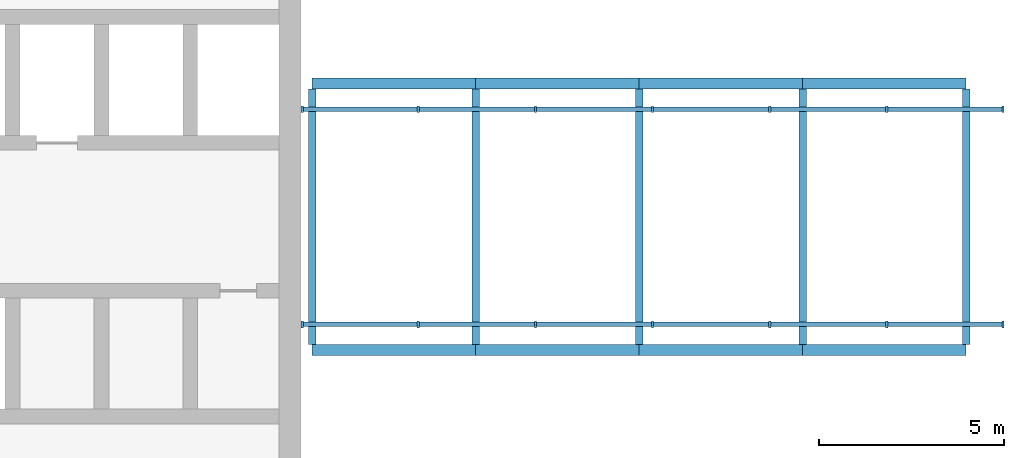
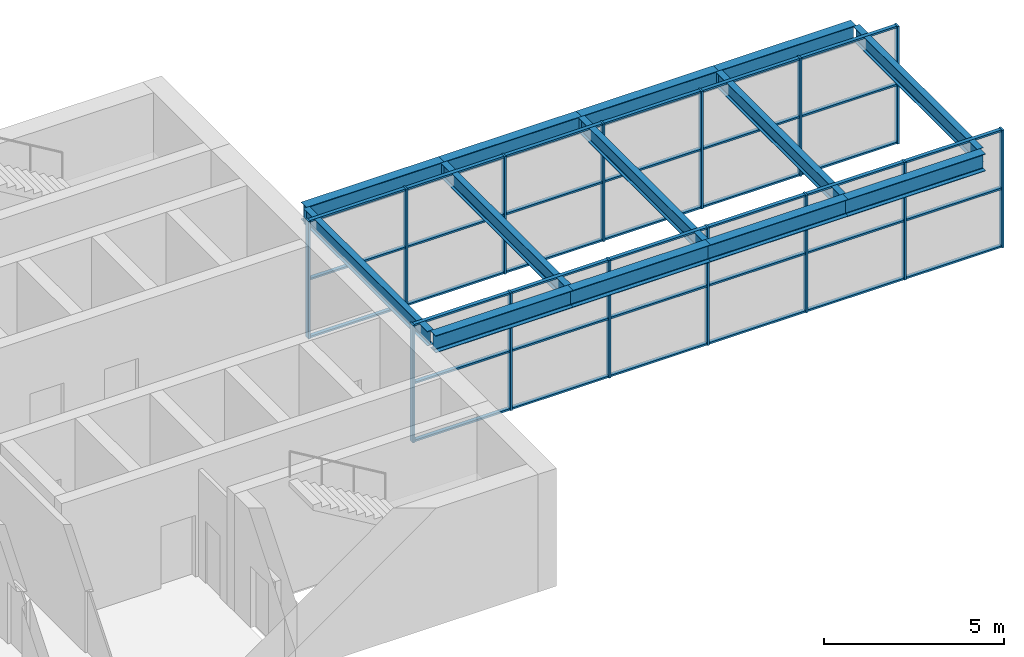
# One storey, part 2 of 12: 58 members, 5 beams, 2 elements without a shape of their own.
"""IFC4 building model written with IfcOpenShell, lengths in metres."""

from ifc_helpers import new_model, si_unit, direction, frame, origin, origin_2d, place, context, subcontext, project, spatial, rectangle, i_section, extrude, material, material_profile, profile_set, type_object, element, aggregate, save


model = new_model("IFC4")

# Units and contexts
model_context = context("Model", 3, precision=1e-05, world=origin(), true_north=direction((0.0, 1.0)))
body_context = subcontext(model_context, "Body", "Model", "MODEL_VIEW")
ifc_project = project(units=[si_unit("LENGTHUNIT", "METRE"), si_unit("AREAUNIT", "SQUARE_METRE"), si_unit("VOLUMEUNIT", "CUBIC_METRE"), si_unit("PLANEANGLEUNIT", "RADIAN"), si_unit("MASSUNIT", "GRAM", prefix="KILO")], contexts=[model_context])

# Site, building, storey
site_placement = place(None, origin())
site = spatial("IfcSite", under=ifc_project, at=site_placement, CompositionType="ELEMENT")
building_placement = place(site_placement, origin())
building = spatial("IfcBuilding", under=site, at=building_placement, Name="Skarvind Civic Tower", CompositionType="ELEMENT")
storey_placement = place(building_placement, frame((0.0, 0.0, 117.0)))
storey = spatial("IfcBuildingStorey", under=building, at=storey_placement, Name="L27", CompositionType="ELEMENT", Elevation=117.0)

# Members
ifc_material_1 = material(Name="Steel SM355", Category="steel")
ifc_material_profile_1 = material_profile(ifc_material_1, i_section(OverallWidth=0.300048828125, OverallDepth=0.587890625, WebThickness=0.011962890625, FlangeThickness=0.02001953125, FilletRadius=0.028076171875, at=origin_2d()), Name="H-588x300x12x20")
ifc_profile_set_1 = profile_set([ifc_material_profile_1], Name="Steel SM355")
member_type_1 = type_object("IfcMemberType", Name="Bridge chord H-588x300x12x20 SM355", PredefinedType="CHORD", material=ifc_profile_set_1)
for number, where, z_axis, x_axis, name in (
    (1, (108.300048828125, 124.39990234375, 3.7060546875), (1.0, 0.0, 0.0), (0.0, 1.0, 0.0), "Link bridge BR2 roof chord"),
    (2, (112.71875, 124.39990234375, 3.7060546875), (1.0, 0.0, 0.0), (0.0, 1.0, 0.0), "Link bridge BR2 roof chord"),
    (3, (117.137451171875, 124.39990234375, 3.7060546875), (1.0, 0.0, 0.0), (0.0, 1.0, 0.0), "Link bridge BR2 roof chord"),
):
    element("IfcMember", number, at=place(storey_placement, frame(where, z_axis=z_axis, x_axis=x_axis)), inside=storey, type_object=member_type_1, Name=name, PredefinedType="CHORD", context=body_context, shape_type="SweptSolid", body=[
        extrude(i_section(OverallWidth=0.300048828125, OverallDepth=0.587890625, WebThickness=0.011962890625, FlangeThickness=0.02001953125, FilletRadius=0.028076171875, at=origin_2d()), origin(), (0.0, 0.0, 1.0), 4.418701171875),
    ])
member_1_placement = place(storey_placement, frame((121.55615234375, 124.39990234375, 3.7060546875), z_axis=(1.0, 0.0, 0.0), x_axis=(0.0, 1.0, 0.0)))
element("IfcMember", 4, at=member_1_placement, inside=storey, type_object=member_type_1, Name="Link bridge BR2 roof chord", PredefinedType="CHORD", context=body_context, shape_type="SweptSolid", body=[
    extrude(i_section(OverallWidth=0.300048828125, OverallDepth=0.587890625, WebThickness=0.011962890625, FlangeThickness=0.02001953125, FilletRadius=0.028076171875, at=origin_2d()), origin(), (0.0, 0.0, 1.0), 4.4189453125),
])
for number, where, z_axis, x_axis, name in (
    (5, (108.300048828125, 131.60009765625, 3.7060546875), (1.0, 0.0, 0.0), (0.0, 1.0, 0.0), "Link bridge BR2 roof chord"),
    (6, (112.71875, 131.60009765625, 3.7060546875), (1.0, 0.0, 0.0), (0.0, 1.0, 0.0), "Link bridge BR2 roof chord"),
    (7, (117.137451171875, 131.60009765625, 3.7060546875), (1.0, 0.0, 0.0), (0.0, 1.0, 0.0), "Link bridge BR2 roof chord"),
):
    element("IfcMember", number, at=place(storey_placement, frame(where, z_axis=z_axis, x_axis=x_axis)), inside=storey, type_object=member_type_1, Name=name, PredefinedType="CHORD", context=body_context, shape_type="SweptSolid", body=[
        extrude(i_section(OverallWidth=0.300048828125, OverallDepth=0.587890625, WebThickness=0.011962890625, FlangeThickness=0.02001953125, FilletRadius=0.028076171875, at=origin_2d()), origin(), (0.0, 0.0, 1.0), 4.418701171875),
    ])
member_2_placement = place(storey_placement, frame((121.55615234375, 131.60009765625, 3.7060546875), z_axis=(1.0, 0.0, 0.0), x_axis=(0.0, 1.0, 0.0)))
element("IfcMember", 8, at=member_2_placement, inside=storey, type_object=member_type_1, Name="Link bridge BR2 roof chord", PredefinedType="CHORD", context=body_context, shape_type="SweptSolid", body=[
    extrude(i_section(OverallWidth=0.300048828125, OverallDepth=0.587890625, WebThickness=0.011962890625, FlangeThickness=0.02001953125, FilletRadius=0.028076171875, at=origin_2d()), origin(), (0.0, 0.0, 1.0), 4.4189453125),
])

# Beams
ifc_material_profile_2 = material_profile(ifc_material_1, i_section(OverallWidth=0.199951171875, OverallDepth=0.5, WebThickness=0.010009765625, FlangeThickness=0.01611328125, FilletRadius=0.02001953125, at=origin_2d()), Name="H-500x200x10x16")
ifc_profile_set_2 = profile_set([ifc_material_profile_2], Name="Steel SM355")
beam_type = type_object("IfcBeamType", Name="Bridge roof beam H-500x200x10x16 SM355", PredefinedType="BEAM", material=ifc_profile_set_2)
for number, where, z_axis, x_axis, name in (
    (9, (108.300048828125, 124.550048828125, 3.75), (0.0, 1.0, 0.0), (-1.0, 0.0, 0.0), "Link bridge BR2 roof beam"),
    (10, (112.71875, 124.550048828125, 3.75), (0.0, 1.0, 0.0), (-1.0, 0.0, 0.0), "Link bridge BR2 roof beam"),
    (11, (117.137451171875, 124.550048828125, 3.75), (0.0, 1.0, 0.0), (-1.0, 0.0, 0.0), "Link bridge BR2 roof beam"),
    (12, (121.55615234375, 124.550048828125, 3.75), (0.0, 1.0, 0.0), (-1.0, 0.0, 0.0), "Link bridge BR2 roof beam"),
    (13, (125.97509765625, 124.550048828125, 3.75), (0.0, 1.0, 0.0), (-1.0, 0.0, 0.0), "Link bridge BR2 roof beam"),
):
    element("IfcBeam", number, at=place(storey_placement, frame(where, z_axis=z_axis, x_axis=x_axis)), inside=storey, type_object=beam_type, Name=name, PredefinedType="BEAM", context=body_context, shape_type="SweptSolid", body=[
        extrude(i_section(OverallWidth=0.199951171875, OverallDepth=0.5, WebThickness=0.010009765625, FlangeThickness=0.01611328125, FilletRadius=0.02001953125, at=origin_2d()), origin(), (0.0, 0.0, 1.0), 6.89990234375),
    ])

# Curtain wall, members
ifc_material_2 = material(Name="Aluminium alloy 6063 and laminated glass", Category="aluminium")
curtain_wall_type = type_object("IfcCurtainWallType", Name="CW4 BRIDGE ENCLOSURE GLAZING", PredefinedType="NOTDEFINED", material=ifc_material_2)
curtain_wall_1_placement = place(storey_placement, origin())
curtain_wall_1 = element("IfcCurtainWall", 14, at=curtain_wall_1_placement, inside=storey, type_object=curtain_wall_type, Name="BRIDGE ENCLOSURE GLAZING", PredefinedType="NOTDEFINED")
ifc_material_3 = material(Name="Aluminium alloy 6063", Category="aluminium")
ifc_material_profile_3 = material_profile(ifc_material_3, rectangle(XDim=0.179931640625, YDim=0.06005859375, at=origin_2d()), Name="AL 60x180")
ifc_profile_set_3 = profile_set([ifc_material_profile_3], Name="Aluminium alloy 6063")
member_type_2 = type_object("IfcMemberType", Name="CW4 MULLION 60x180", PredefinedType="MULLION", material=ifc_profile_set_3)
member_3_placement = place(storey_placement, frame((126.969970703125, 125.090087890625, 0.0), z_axis=(0.0, 0.0, 1.0), x_axis=(0.0, -1.0, 0.0)))
member_3 = element("IfcMember", 15, at=member_3_placement, type_object=member_type_2, Name="CW4 mullion 1", PredefinedType="MULLION", context=body_context, shape_type="SweptSolid", body=[
    extrude(rectangle(XDim=0.179931640625, YDim=0.06005859375, at=origin_2d()), origin(), (0.0, 0.0, 1.0), 4.0),
])
member_4_placement = place(storey_placement, frame((123.833251953125, 125.090087890625, 0.0), z_axis=(0.0, 0.0, 1.0), x_axis=(0.0, -1.0, 0.0)))
member_4 = element("IfcMember", 16, at=member_4_placement, type_object=member_type_2, Name="CW4 mullion 2", PredefinedType="MULLION", context=body_context, shape_type="SweptSolid", body=[
    extrude(rectangle(XDim=0.179931640625, YDim=0.06005859375, at=origin_2d()), origin(), (0.0, 0.0, 1.0), 4.0),
])
member_5_placement = place(storey_placement, frame((120.666748046875, 125.090087890625, 0.0), z_axis=(0.0, 0.0, 1.0), x_axis=(0.0, -1.0, 0.0)))
member_5 = element("IfcMember", 17, at=member_5_placement, type_object=member_type_2, Name="CW4 mullion 3", PredefinedType="MULLION", context=body_context, shape_type="SweptSolid", body=[
    extrude(rectangle(XDim=0.179931640625, YDim=0.06005859375, at=origin_2d()), origin(), (0.0, 0.0, 1.0), 4.0),
])
member_6_placement = place(storey_placement, frame((117.5, 125.090087890625, 0.0), z_axis=(0.0, 0.0, 1.0), x_axis=(0.0, -1.0, 0.0)))
member_6 = element("IfcMember", 18, at=member_6_placement, type_object=member_type_2, Name="CW4 mullion 4", PredefinedType="MULLION", context=body_context, shape_type="SweptSolid", body=[
    extrude(rectangle(XDim=0.179931640625, YDim=0.06005859375, at=origin_2d()), origin(), (0.0, 0.0, 1.0), 4.0),
])
member_7_placement = place(storey_placement, frame((114.333251953125, 125.090087890625, 0.0), z_axis=(0.0, 0.0, 1.0), x_axis=(0.0, -1.0, 0.0)))
member_7 = element("IfcMember", 19, at=member_7_placement, type_object=member_type_2, Name="CW4 mullion 5", PredefinedType="MULLION", context=body_context, shape_type="SweptSolid", body=[
    extrude(rectangle(XDim=0.179931640625, YDim=0.06005859375, at=origin_2d()), origin(), (0.0, 0.0, 1.0), 4.0),
])
member_8_placement = place(storey_placement, frame((111.166748046875, 125.090087890625, 0.0), z_axis=(0.0, 0.0, 1.0), x_axis=(0.0, -1.0, 0.0)))
member_8 = element("IfcMember", 20, at=member_8_placement, type_object=member_type_2, Name="CW4 mullion 6", PredefinedType="MULLION", context=body_context, shape_type="SweptSolid", body=[
    extrude(rectangle(XDim=0.179931640625, YDim=0.06005859375, at=origin_2d()), origin(), (0.0, 0.0, 1.0), 4.0),
])
member_9_placement = place(storey_placement, frame((108.030029296875, 125.090087890625, 0.0), z_axis=(0.0, 0.0, 1.0), x_axis=(0.0, -1.0, 0.0)))
member_9 = element("IfcMember", 21, at=member_9_placement, type_object=member_type_2, Name="CW4 mullion 7", PredefinedType="MULLION", context=body_context, shape_type="SweptSolid", body=[
    extrude(rectangle(XDim=0.179931640625, YDim=0.06005859375, at=origin_2d()), origin(), (0.0, 0.0, 1.0), 4.0),
])

curtain_wall_2_placement = place(storey_placement, origin())
curtain_wall_2 = element("IfcCurtainWall", 22, at=curtain_wall_2_placement, inside=storey, type_object=curtain_wall_type, Name="BRIDGE ENCLOSURE GLAZING", PredefinedType="NOTDEFINED")
member_10_placement = place(storey_placement, frame((108.030029296875, 130.909912109375, 0.0), z_axis=(0.0, 0.0, 1.0), x_axis=(0.0, 1.0, 0.0)))
member_10 = element("IfcMember", 23, at=member_10_placement, type_object=member_type_2, Name="CW4 mullion 1", PredefinedType="MULLION", context=body_context, shape_type="SweptSolid", body=[
    extrude(rectangle(XDim=0.179931640625, YDim=0.06005859375, at=origin_2d()), origin(), (0.0, 0.0, 1.0), 4.0),
])
member_11_placement = place(storey_placement, frame((111.166748046875, 130.909912109375, 0.0), z_axis=(0.0, 0.0, 1.0), x_axis=(0.0, 1.0, 0.0)))
member_11 = element("IfcMember", 24, at=member_11_placement, type_object=member_type_2, Name="CW4 mullion 2", PredefinedType="MULLION", context=body_context, shape_type="SweptSolid", body=[
    extrude(rectangle(XDim=0.179931640625, YDim=0.06005859375, at=origin_2d()), origin(), (0.0, 0.0, 1.0), 4.0),
])
member_12_placement = place(storey_placement, frame((114.333251953125, 130.909912109375, 0.0), z_axis=(0.0, 0.0, 1.0), x_axis=(0.0, 1.0, 0.0)))
member_12 = element("IfcMember", 25, at=member_12_placement, type_object=member_type_2, Name="CW4 mullion 3", PredefinedType="MULLION", context=body_context, shape_type="SweptSolid", body=[
    extrude(rectangle(XDim=0.179931640625, YDim=0.06005859375, at=origin_2d()), origin(), (0.0, 0.0, 1.0), 4.0),
])
member_13_placement = place(storey_placement, frame((117.5, 130.909912109375, 0.0), z_axis=(0.0, 0.0, 1.0), x_axis=(0.0, 1.0, 0.0)))
member_13 = element("IfcMember", 26, at=member_13_placement, type_object=member_type_2, Name="CW4 mullion 4", PredefinedType="MULLION", context=body_context, shape_type="SweptSolid", body=[
    extrude(rectangle(XDim=0.179931640625, YDim=0.06005859375, at=origin_2d()), origin(), (0.0, 0.0, 1.0), 4.0),
])
member_14_placement = place(storey_placement, frame((120.666748046875, 130.909912109375, 0.0), z_axis=(0.0, 0.0, 1.0), x_axis=(0.0, 1.0, 0.0)))
member_14 = element("IfcMember", 27, at=member_14_placement, type_object=member_type_2, Name="CW4 mullion 5", PredefinedType="MULLION", context=body_context, shape_type="SweptSolid", body=[
    extrude(rectangle(XDim=0.179931640625, YDim=0.06005859375, at=origin_2d()), origin(), (0.0, 0.0, 1.0), 4.0),
])
member_15_placement = place(storey_placement, frame((123.833251953125, 130.909912109375, 0.0), z_axis=(0.0, 0.0, 1.0), x_axis=(0.0, 1.0, 0.0)))
member_15 = element("IfcMember", 28, at=member_15_placement, type_object=member_type_2, Name="CW4 mullion 6", PredefinedType="MULLION", context=body_context, shape_type="SweptSolid", body=[
    extrude(rectangle(XDim=0.179931640625, YDim=0.06005859375, at=origin_2d()), origin(), (0.0, 0.0, 1.0), 4.0),
])
member_16_placement = place(storey_placement, frame((126.969970703125, 130.909912109375, 0.0), z_axis=(0.0, 0.0, 1.0), x_axis=(0.0, 1.0, 0.0)))
member_16 = element("IfcMember", 29, at=member_16_placement, type_object=member_type_2, Name="CW4 mullion 7", PredefinedType="MULLION", context=body_context, shape_type="SweptSolid", body=[
    extrude(rectangle(XDim=0.179931640625, YDim=0.06005859375, at=origin_2d()), origin(), (0.0, 0.0, 1.0), 4.0),
])

# Member
ifc_material_profile_4 = material_profile(ifc_material_3, rectangle(XDim=0.1201171875, YDim=0.06005859375, at=origin_2d()), Name="AL 60x120")
ifc_profile_set_4 = profile_set([ifc_material_profile_4], Name="Aluminium alloy 6063")
member_type_3 = type_object("IfcMemberType", Name="CW4 TRANSOM 60x120", PredefinedType="USERDEFINED", material=ifc_profile_set_4)
member_17_placement = place(storey_placement, frame((126.93994140625, 125.090087890625, 0.030029296875), z_axis=(-1.0, 0.0, 0.0), x_axis=(0.0, -1.0, 0.0)))
member_17 = element("IfcMember", 30, at=member_17_placement, type_object=member_type_3, Name="CW4 transom 1.1", ObjectType="TRANSOM", PredefinedType="USERDEFINED", context=body_context, shape_type="SweptSolid", body=[
    extrude(rectangle(XDim=0.1201171875, YDim=0.06005859375, at=origin_2d()), origin(), (0.0, 0.0, 1.0), 3.07666015625),
])

member_18_placement = place(storey_placement, frame((126.93994140625, 125.090087890625, 2.0), z_axis=(-1.0, 0.0, 0.0), x_axis=(0.0, -1.0, 0.0)))
member_18 = element("IfcMember", 31, at=member_18_placement, type_object=member_type_3, Name="CW4 transom 1.2", ObjectType="TRANSOM", PredefinedType="USERDEFINED", context=body_context, shape_type="SweptSolid", body=[
    extrude(rectangle(XDim=0.1201171875, YDim=0.06005859375, at=origin_2d()), origin(), (0.0, 0.0, 1.0), 3.07666015625),
])

member_19_placement = place(storey_placement, frame((126.93994140625, 125.090087890625, 3.969970703125), z_axis=(-1.0, 0.0, 0.0), x_axis=(0.0, -1.0, 0.0)))
member_19 = element("IfcMember", 32, at=member_19_placement, type_object=member_type_3, Name="CW4 transom 1.3", ObjectType="TRANSOM", PredefinedType="USERDEFINED", context=body_context, shape_type="SweptSolid", body=[
    extrude(rectangle(XDim=0.1201171875, YDim=0.06005859375, at=origin_2d()), origin(), (0.0, 0.0, 1.0), 3.07666015625),
])

member_20_placement = place(storey_placement, frame((123.80322265625, 125.090087890625, 0.030029296875), z_axis=(-1.0, 0.0, 0.0), x_axis=(0.0, -1.0, 0.0)))
member_20 = element("IfcMember", 33, at=member_20_placement, type_object=member_type_3, Name="CW4 transom 2.1", ObjectType="TRANSOM", PredefinedType="USERDEFINED", context=body_context, shape_type="SweptSolid", body=[
    extrude(rectangle(XDim=0.1201171875, YDim=0.06005859375, at=origin_2d()), origin(), (0.0, 0.0, 1.0), 3.1064453125),
])

member_21_placement = place(storey_placement, frame((123.80322265625, 125.090087890625, 2.0), z_axis=(-1.0, 0.0, 0.0), x_axis=(0.0, -1.0, 0.0)))
member_21 = element("IfcMember", 34, at=member_21_placement, type_object=member_type_3, Name="CW4 transom 2.2", ObjectType="TRANSOM", PredefinedType="USERDEFINED", context=body_context, shape_type="SweptSolid", body=[
    extrude(rectangle(XDim=0.1201171875, YDim=0.06005859375, at=origin_2d()), origin(), (0.0, 0.0, 1.0), 3.1064453125),
])

member_22_placement = place(storey_placement, frame((123.80322265625, 125.090087890625, 3.969970703125), z_axis=(-1.0, 0.0, 0.0), x_axis=(0.0, -1.0, 0.0)))
member_22 = element("IfcMember", 35, at=member_22_placement, type_object=member_type_3, Name="CW4 transom 2.3", ObjectType="TRANSOM", PredefinedType="USERDEFINED", context=body_context, shape_type="SweptSolid", body=[
    extrude(rectangle(XDim=0.1201171875, YDim=0.06005859375, at=origin_2d()), origin(), (0.0, 0.0, 1.0), 3.1064453125),
])

member_23_placement = place(storey_placement, frame((120.63671875, 125.090087890625, 0.030029296875), z_axis=(-1.0, 0.0, 0.0), x_axis=(0.0, -1.0, 0.0)))
member_23 = element("IfcMember", 36, at=member_23_placement, type_object=member_type_3, Name="CW4 transom 3.1", ObjectType="TRANSOM", PredefinedType="USERDEFINED", context=body_context, shape_type="SweptSolid", body=[
    extrude(rectangle(XDim=0.1201171875, YDim=0.06005859375, at=origin_2d()), origin(), (0.0, 0.0, 1.0), 3.106689453125),
])

member_24_placement = place(storey_placement, frame((120.63671875, 125.090087890625, 2.0), z_axis=(-1.0, 0.0, 0.0), x_axis=(0.0, -1.0, 0.0)))
member_24 = element("IfcMember", 37, at=member_24_placement, type_object=member_type_3, Name="CW4 transom 3.2", ObjectType="TRANSOM", PredefinedType="USERDEFINED", context=body_context, shape_type="SweptSolid", body=[
    extrude(rectangle(XDim=0.1201171875, YDim=0.06005859375, at=origin_2d()), origin(), (0.0, 0.0, 1.0), 3.106689453125),
])

member_25_placement = place(storey_placement, frame((120.63671875, 125.090087890625, 3.969970703125), z_axis=(-1.0, 0.0, 0.0), x_axis=(0.0, -1.0, 0.0)))
member_25 = element("IfcMember", 38, at=member_25_placement, type_object=member_type_3, Name="CW4 transom 3.3", ObjectType="TRANSOM", PredefinedType="USERDEFINED", context=body_context, shape_type="SweptSolid", body=[
    extrude(rectangle(XDim=0.1201171875, YDim=0.06005859375, at=origin_2d()), origin(), (0.0, 0.0, 1.0), 3.106689453125),
])

member_26_placement = place(storey_placement, frame((117.469970703125, 125.090087890625, 0.030029296875), z_axis=(-1.0, 0.0, 0.0), x_axis=(0.0, -1.0, 0.0)))
member_26 = element("IfcMember", 39, at=member_26_placement, type_object=member_type_3, Name="CW4 transom 4.1", ObjectType="TRANSOM", PredefinedType="USERDEFINED", context=body_context, shape_type="SweptSolid", body=[
    extrude(rectangle(XDim=0.1201171875, YDim=0.06005859375, at=origin_2d()), origin(), (0.0, 0.0, 1.0), 3.106689453125),
])

member_27_placement = place(storey_placement, frame((117.469970703125, 125.090087890625, 2.0), z_axis=(-1.0, 0.0, 0.0), x_axis=(0.0, -1.0, 0.0)))
member_27 = element("IfcMember", 40, at=member_27_placement, type_object=member_type_3, Name="CW4 transom 4.2", ObjectType="TRANSOM", PredefinedType="USERDEFINED", context=body_context, shape_type="SweptSolid", body=[
    extrude(rectangle(XDim=0.1201171875, YDim=0.06005859375, at=origin_2d()), origin(), (0.0, 0.0, 1.0), 3.106689453125),
])

member_28_placement = place(storey_placement, frame((117.469970703125, 125.090087890625, 3.969970703125), z_axis=(-1.0, 0.0, 0.0), x_axis=(0.0, -1.0, 0.0)))
member_28 = element("IfcMember", 41, at=member_28_placement, type_object=member_type_3, Name="CW4 transom 4.3", ObjectType="TRANSOM", PredefinedType="USERDEFINED", context=body_context, shape_type="SweptSolid", body=[
    extrude(rectangle(XDim=0.1201171875, YDim=0.06005859375, at=origin_2d()), origin(), (0.0, 0.0, 1.0), 3.106689453125),
])

member_29_placement = place(storey_placement, frame((114.30322265625, 125.090087890625, 0.030029296875), z_axis=(-1.0, 0.0, 0.0), x_axis=(0.0, -1.0, 0.0)))
member_29 = element("IfcMember", 42, at=member_29_placement, type_object=member_type_3, Name="CW4 transom 5.1", ObjectType="TRANSOM", PredefinedType="USERDEFINED", context=body_context, shape_type="SweptSolid", body=[
    extrude(rectangle(XDim=0.1201171875, YDim=0.06005859375, at=origin_2d()), origin(), (0.0, 0.0, 1.0), 3.1064453125),
])

member_30_placement = place(storey_placement, frame((114.30322265625, 125.090087890625, 2.0), z_axis=(-1.0, 0.0, 0.0), x_axis=(0.0, -1.0, 0.0)))
member_30 = element("IfcMember", 43, at=member_30_placement, type_object=member_type_3, Name="CW4 transom 5.2", ObjectType="TRANSOM", PredefinedType="USERDEFINED", context=body_context, shape_type="SweptSolid", body=[
    extrude(rectangle(XDim=0.1201171875, YDim=0.06005859375, at=origin_2d()), origin(), (0.0, 0.0, 1.0), 3.1064453125),
])

member_31_placement = place(storey_placement, frame((114.30322265625, 125.090087890625, 3.969970703125), z_axis=(-1.0, 0.0, 0.0), x_axis=(0.0, -1.0, 0.0)))
member_31 = element("IfcMember", 44, at=member_31_placement, type_object=member_type_3, Name="CW4 transom 5.3", ObjectType="TRANSOM", PredefinedType="USERDEFINED", context=body_context, shape_type="SweptSolid", body=[
    extrude(rectangle(XDim=0.1201171875, YDim=0.06005859375, at=origin_2d()), origin(), (0.0, 0.0, 1.0), 3.1064453125),
])

member_32_placement = place(storey_placement, frame((111.13671875, 125.090087890625, 0.030029296875), z_axis=(-1.0, 0.0, 0.0), x_axis=(0.0, -1.0, 0.0)))
member_32 = element("IfcMember", 45, at=member_32_placement, type_object=member_type_3, Name="CW4 transom 6.1", ObjectType="TRANSOM", PredefinedType="USERDEFINED", context=body_context, shape_type="SweptSolid", body=[
    extrude(rectangle(XDim=0.1201171875, YDim=0.06005859375, at=origin_2d()), origin(), (0.0, 0.0, 1.0), 3.07666015625),
])

member_33_placement = place(storey_placement, frame((111.13671875, 125.090087890625, 2.0), z_axis=(-1.0, 0.0, 0.0), x_axis=(0.0, -1.0, 0.0)))
member_33 = element("IfcMember", 46, at=member_33_placement, type_object=member_type_3, Name="CW4 transom 6.2", ObjectType="TRANSOM", PredefinedType="USERDEFINED", context=body_context, shape_type="SweptSolid", body=[
    extrude(rectangle(XDim=0.1201171875, YDim=0.06005859375, at=origin_2d()), origin(), (0.0, 0.0, 1.0), 3.07666015625),
])

member_34_placement = place(storey_placement, frame((111.13671875, 125.090087890625, 3.969970703125), z_axis=(-1.0, 0.0, 0.0), x_axis=(0.0, -1.0, 0.0)))
member_34 = element("IfcMember", 47, at=member_34_placement, type_object=member_type_3, Name="CW4 transom 6.3", ObjectType="TRANSOM", PredefinedType="USERDEFINED", context=body_context, shape_type="SweptSolid", body=[
    extrude(rectangle(XDim=0.1201171875, YDim=0.06005859375, at=origin_2d()), origin(), (0.0, 0.0, 1.0), 3.07666015625),
])

aggregate(curtain_wall_1, [member_3, member_4, member_5, member_6, member_7, member_8, member_9, member_17, member_18, member_19, member_20, member_21, member_22, member_23, member_24, member_25, member_26, member_27, member_28, member_29, member_30, member_31, member_32, member_33, member_34])

member_35_placement = place(storey_placement, frame((108.06005859375, 130.909912109375, 0.030029296875), z_axis=(1.0, 0.0, 0.0), x_axis=(0.0, 1.0, 0.0)))
member_35 = element("IfcMember", 48, at=member_35_placement, type_object=member_type_3, Name="CW4 transom 1.1", ObjectType="TRANSOM", PredefinedType="USERDEFINED", context=body_context, shape_type="SweptSolid", body=[
    extrude(rectangle(XDim=0.1201171875, YDim=0.06005859375, at=origin_2d()), origin(), (0.0, 0.0, 1.0), 3.07666015625),
])

member_36_placement = place(storey_placement, frame((108.06005859375, 130.909912109375, 2.0), z_axis=(1.0, 0.0, 0.0), x_axis=(0.0, 1.0, 0.0)))
member_36 = element("IfcMember", 49, at=member_36_placement, type_object=member_type_3, Name="CW4 transom 1.2", ObjectType="TRANSOM", PredefinedType="USERDEFINED", context=body_context, shape_type="SweptSolid", body=[
    extrude(rectangle(XDim=0.1201171875, YDim=0.06005859375, at=origin_2d()), origin(), (0.0, 0.0, 1.0), 3.07666015625),
])

member_37_placement = place(storey_placement, frame((108.06005859375, 130.909912109375, 3.969970703125), z_axis=(1.0, 0.0, 0.0), x_axis=(0.0, 1.0, 0.0)))
member_37 = element("IfcMember", 50, at=member_37_placement, type_object=member_type_3, Name="CW4 transom 1.3", ObjectType="TRANSOM", PredefinedType="USERDEFINED", context=body_context, shape_type="SweptSolid", body=[
    extrude(rectangle(XDim=0.1201171875, YDim=0.06005859375, at=origin_2d()), origin(), (0.0, 0.0, 1.0), 3.07666015625),
])

member_38_placement = place(storey_placement, frame((111.19677734375, 130.909912109375, 0.030029296875), z_axis=(1.0, 0.0, 0.0), x_axis=(0.0, 1.0, 0.0)))
member_38 = element("IfcMember", 51, at=member_38_placement, type_object=member_type_3, Name="CW4 transom 2.1", ObjectType="TRANSOM", PredefinedType="USERDEFINED", context=body_context, shape_type="SweptSolid", body=[
    extrude(rectangle(XDim=0.1201171875, YDim=0.06005859375, at=origin_2d()), origin(), (0.0, 0.0, 1.0), 3.1064453125),
])

member_39_placement = place(storey_placement, frame((111.19677734375, 130.909912109375, 2.0), z_axis=(1.0, 0.0, 0.0), x_axis=(0.0, 1.0, 0.0)))
member_39 = element("IfcMember", 52, at=member_39_placement, type_object=member_type_3, Name="CW4 transom 2.2", ObjectType="TRANSOM", PredefinedType="USERDEFINED", context=body_context, shape_type="SweptSolid", body=[
    extrude(rectangle(XDim=0.1201171875, YDim=0.06005859375, at=origin_2d()), origin(), (0.0, 0.0, 1.0), 3.1064453125),
])

member_40_placement = place(storey_placement, frame((111.19677734375, 130.909912109375, 3.969970703125), z_axis=(1.0, 0.0, 0.0), x_axis=(0.0, 1.0, 0.0)))
member_40 = element("IfcMember", 53, at=member_40_placement, type_object=member_type_3, Name="CW4 transom 2.3", ObjectType="TRANSOM", PredefinedType="USERDEFINED", context=body_context, shape_type="SweptSolid", body=[
    extrude(rectangle(XDim=0.1201171875, YDim=0.06005859375, at=origin_2d()), origin(), (0.0, 0.0, 1.0), 3.1064453125),
])

member_41_placement = place(storey_placement, frame((114.36328125, 130.909912109375, 0.030029296875), z_axis=(1.0, 0.0, 0.0), x_axis=(0.0, 1.0, 0.0)))
member_41 = element("IfcMember", 54, at=member_41_placement, type_object=member_type_3, Name="CW4 transom 3.1", ObjectType="TRANSOM", PredefinedType="USERDEFINED", context=body_context, shape_type="SweptSolid", body=[
    extrude(rectangle(XDim=0.1201171875, YDim=0.06005859375, at=origin_2d()), origin(), (0.0, 0.0, 1.0), 3.106689453125),
])

member_42_placement = place(storey_placement, frame((114.36328125, 130.909912109375, 2.0), z_axis=(1.0, 0.0, 0.0), x_axis=(0.0, 1.0, 0.0)))
member_42 = element("IfcMember", 55, at=member_42_placement, type_object=member_type_3, Name="CW4 transom 3.2", ObjectType="TRANSOM", PredefinedType="USERDEFINED", context=body_context, shape_type="SweptSolid", body=[
    extrude(rectangle(XDim=0.1201171875, YDim=0.06005859375, at=origin_2d()), origin(), (0.0, 0.0, 1.0), 3.106689453125),
])

member_43_placement = place(storey_placement, frame((114.36328125, 130.909912109375, 3.969970703125), z_axis=(1.0, 0.0, 0.0), x_axis=(0.0, 1.0, 0.0)))
member_43 = element("IfcMember", 56, at=member_43_placement, type_object=member_type_3, Name="CW4 transom 3.3", ObjectType="TRANSOM", PredefinedType="USERDEFINED", context=body_context, shape_type="SweptSolid", body=[
    extrude(rectangle(XDim=0.1201171875, YDim=0.06005859375, at=origin_2d()), origin(), (0.0, 0.0, 1.0), 3.106689453125),
])

member_44_placement = place(storey_placement, frame((117.530029296875, 130.909912109375, 0.030029296875), z_axis=(1.0, 0.0, 0.0), x_axis=(0.0, 1.0, 0.0)))
member_44 = element("IfcMember", 57, at=member_44_placement, type_object=member_type_3, Name="CW4 transom 4.1", ObjectType="TRANSOM", PredefinedType="USERDEFINED", context=body_context, shape_type="SweptSolid", body=[
    extrude(rectangle(XDim=0.1201171875, YDim=0.06005859375, at=origin_2d()), origin(), (0.0, 0.0, 1.0), 3.106689453125),
])

member_45_placement = place(storey_placement, frame((117.530029296875, 130.909912109375, 2.0), z_axis=(1.0, 0.0, 0.0), x_axis=(0.0, 1.0, 0.0)))
member_45 = element("IfcMember", 58, at=member_45_placement, type_object=member_type_3, Name="CW4 transom 4.2", ObjectType="TRANSOM", PredefinedType="USERDEFINED", context=body_context, shape_type="SweptSolid", body=[
    extrude(rectangle(XDim=0.1201171875, YDim=0.06005859375, at=origin_2d()), origin(), (0.0, 0.0, 1.0), 3.106689453125),
])

member_46_placement = place(storey_placement, frame((117.530029296875, 130.909912109375, 3.969970703125), z_axis=(1.0, 0.0, 0.0), x_axis=(0.0, 1.0, 0.0)))
member_46 = element("IfcMember", 59, at=member_46_placement, type_object=member_type_3, Name="CW4 transom 4.3", ObjectType="TRANSOM", PredefinedType="USERDEFINED", context=body_context, shape_type="SweptSolid", body=[
    extrude(rectangle(XDim=0.1201171875, YDim=0.06005859375, at=origin_2d()), origin(), (0.0, 0.0, 1.0), 3.106689453125),
])

member_47_placement = place(storey_placement, frame((120.69677734375, 130.909912109375, 0.030029296875), z_axis=(1.0, 0.0, 0.0), x_axis=(0.0, 1.0, 0.0)))
member_47 = element("IfcMember", 60, at=member_47_placement, type_object=member_type_3, Name="CW4 transom 5.1", ObjectType="TRANSOM", PredefinedType="USERDEFINED", context=body_context, shape_type="SweptSolid", body=[
    extrude(rectangle(XDim=0.1201171875, YDim=0.06005859375, at=origin_2d()), origin(), (0.0, 0.0, 1.0), 3.1064453125),
])

member_48_placement = place(storey_placement, frame((120.69677734375, 130.909912109375, 2.0), z_axis=(1.0, 0.0, 0.0), x_axis=(0.0, 1.0, 0.0)))
member_48 = element("IfcMember", 61, at=member_48_placement, type_object=member_type_3, Name="CW4 transom 5.2", ObjectType="TRANSOM", PredefinedType="USERDEFINED", context=body_context, shape_type="SweptSolid", body=[
    extrude(rectangle(XDim=0.1201171875, YDim=0.06005859375, at=origin_2d()), origin(), (0.0, 0.0, 1.0), 3.1064453125),
])

member_49_placement = place(storey_placement, frame((120.69677734375, 130.909912109375, 3.969970703125), z_axis=(1.0, 0.0, 0.0), x_axis=(0.0, 1.0, 0.0)))
member_49 = element("IfcMember", 62, at=member_49_placement, type_object=member_type_3, Name="CW4 transom 5.3", ObjectType="TRANSOM", PredefinedType="USERDEFINED", context=body_context, shape_type="SweptSolid", body=[
    extrude(rectangle(XDim=0.1201171875, YDim=0.06005859375, at=origin_2d()), origin(), (0.0, 0.0, 1.0), 3.1064453125),
])

member_50_placement = place(storey_placement, frame((123.86328125, 130.909912109375, 0.030029296875), z_axis=(1.0, 0.0, 0.0), x_axis=(0.0, 1.0, 0.0)))
member_50 = element("IfcMember", 63, at=member_50_placement, type_object=member_type_3, Name="CW4 transom 6.1", ObjectType="TRANSOM", PredefinedType="USERDEFINED", context=body_context, shape_type="SweptSolid", body=[
    extrude(rectangle(XDim=0.1201171875, YDim=0.06005859375, at=origin_2d()), origin(), (0.0, 0.0, 1.0), 3.07666015625),
])

member_51_placement = place(storey_placement, frame((123.86328125, 130.909912109375, 2.0), z_axis=(1.0, 0.0, 0.0), x_axis=(0.0, 1.0, 0.0)))
member_51 = element("IfcMember", 64, at=member_51_placement, type_object=member_type_3, Name="CW4 transom 6.2", ObjectType="TRANSOM", PredefinedType="USERDEFINED", context=body_context, shape_type="SweptSolid", body=[
    extrude(rectangle(XDim=0.1201171875, YDim=0.06005859375, at=origin_2d()), origin(), (0.0, 0.0, 1.0), 3.07666015625),
])

member_52_placement = place(storey_placement, frame((123.86328125, 130.909912109375, 3.969970703125), z_axis=(1.0, 0.0, 0.0), x_axis=(0.0, 1.0, 0.0)))
member_52 = element("IfcMember", 65, at=member_52_placement, type_object=member_type_3, Name="CW4 transom 6.3", ObjectType="TRANSOM", PredefinedType="USERDEFINED", context=body_context, shape_type="SweptSolid", body=[
    extrude(rectangle(XDim=0.1201171875, YDim=0.06005859375, at=origin_2d()), origin(), (0.0, 0.0, 1.0), 3.07666015625),
])

aggregate(curtain_wall_2, [member_10, member_11, member_12, member_13, member_14, member_15, member_16, member_35, member_36, member_37, member_38, member_39, member_40, member_41, member_42, member_43, member_44, member_45, member_46, member_47, member_48, member_49, member_50, member_51, member_52])

save(model, "model.ifc")
